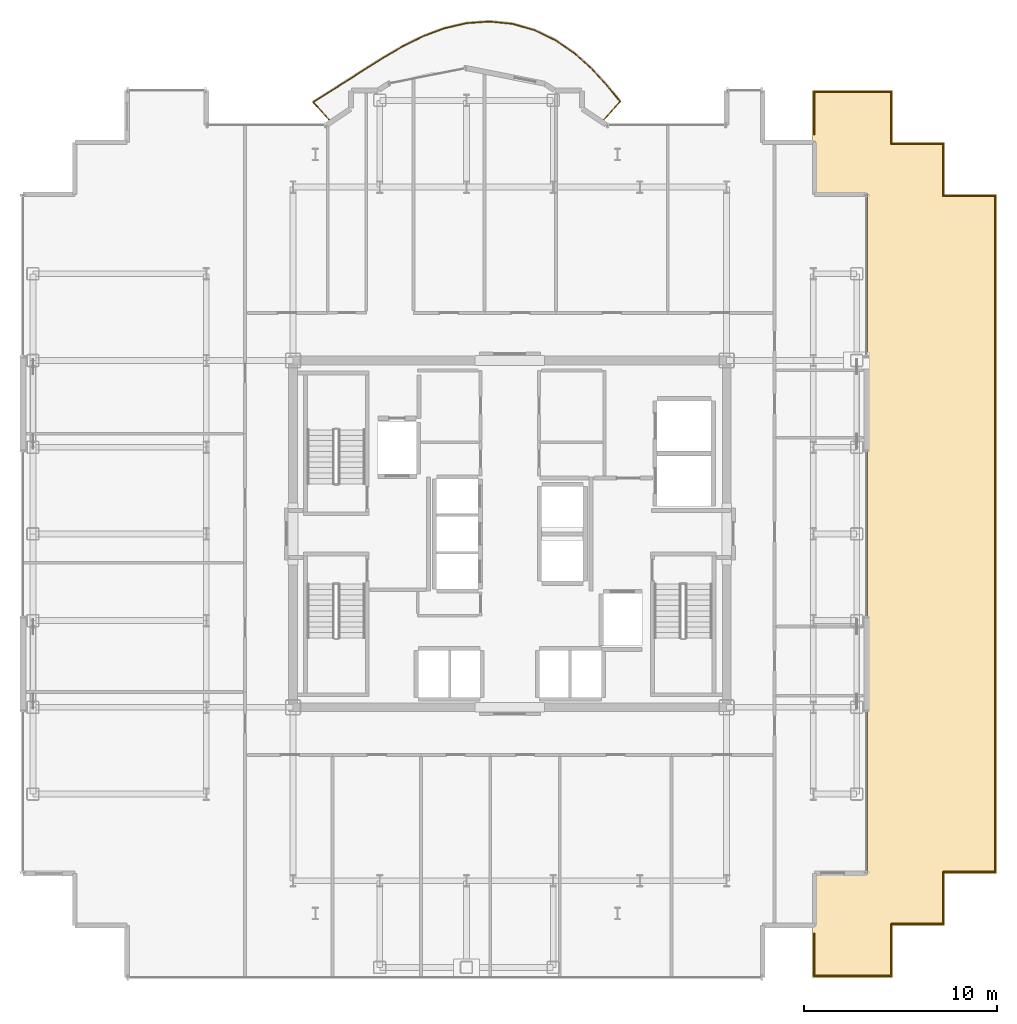
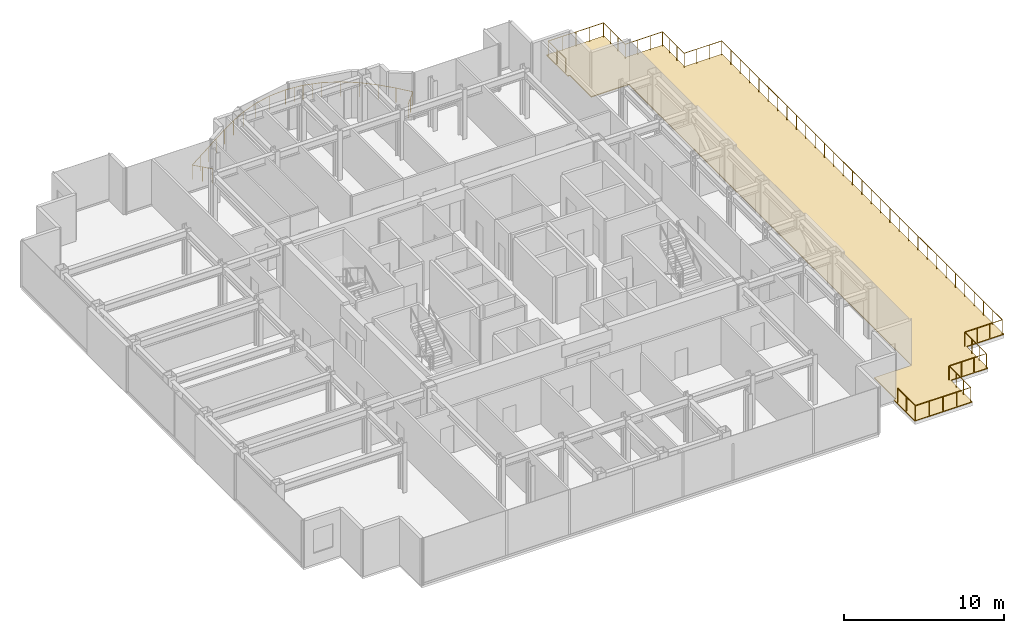
# One storey, part 17 of 17: 3 railings, 1 covering.
"""IFC4 building model written with IfcOpenShell, lengths in metres."""

from ifc_helpers import new_model, si_unit, direction, frame, origin, origin_2d, place, context, subcontext, project, spatial, polyline, circle, outline, extrude, material, layer, layer_set, type_object, element, save


model = new_model("IFC4")

# Units and contexts
model_context = context("Model", 3, precision=1e-05, world=origin(), true_north=direction((0.0, 1.0)))
body_context = subcontext(model_context, "Body", "Model", "MODEL_VIEW")
ifc_project = project(units=[si_unit("LENGTHUNIT", "METRE"), si_unit("AREAUNIT", "SQUARE_METRE"), si_unit("VOLUMEUNIT", "CUBIC_METRE"), si_unit("PLANEANGLEUNIT", "RADIAN"), si_unit("MASSUNIT", "GRAM", prefix="KILO")], contexts=[model_context])

# Site, building, storey
site_placement = place(None, origin())
site = spatial("IfcSite", under=ifc_project, at=site_placement, CompositionType="ELEMENT")
building_placement = place(site_placement, origin())
building = spatial("IfcBuilding", under=site, at=building_placement, Name="Nefas-Gora Pilgrimage Tower", CompositionType="ELEMENT")
storey_placement = place(building_placement, frame((0.0, 0.0, 264.60009765625)))
storey = spatial("IfcBuildingStorey", under=building, at=storey_placement, Name="L66", CompositionType="ELEMENT", Elevation=264.60009765625)

# Covering
ifc_material_1 = material(Name="Elastomeric waterproof insulated roof membrane")
ifc_layer = layer(ifc_material_1, 0.06005859375)
ifc_layer_set = layer_set([ifc_layer], Name="Elastomeric waterproof insulated roof membrane")
covering_type = type_object("IfcCoveringType", Name="COV-ROOF-MEMB", PredefinedType="ROOFING", material=ifc_layer_set)
covering_placement = place(storey_placement, origin())
element("IfcCovering", 1, at=covering_placement, inside=storey, type_object=covering_type, Name="L66 Setback Terrace Waterproofing Membrane 1", PredefinedType="ROOFING", context=body_context, shape_type="SweptSolid", body=[
    extrude(outline(polyline([(19.8701171875, 23.02001953125), (15.719970703125, 23.02001953125), (15.719970703125, 20.3701171875), (15.820068359375, 20.3701171875), (15.824951171875, 20.369873046875), (15.829833984375, 20.368896484375), (15.83447265625, 20.367919921875), (15.839111328125, 20.3662109375), (15.843505859375, 20.364013671875), (15.847900390625, 20.361572265625), (15.851806640625, 20.358642578125), (15.85546875, 20.35546875), (15.858642578125, 20.351806640625), (15.861572265625, 20.347900390625), (15.864013671875, 20.343505859375), (15.8662109375, 20.339111328125), (15.867919921875, 20.33447265625), (15.868896484375, 20.329833984375), (15.869873046875, 20.324951171875), (15.8701171875, 20.320068359375), (15.8701171875, 17.669921875), (18.52001953125, 17.669921875), (18.52490234375, 17.669921875), (18.52978515625, 17.6689453125), (18.534423828125, 17.667724609375), (18.5390625, 17.666259765625), (18.543701171875, 17.6640625), (18.5478515625, 17.66162109375), (18.5517578125, 17.65869140625), (18.555419921875, 17.655517578125), (18.55859375, 17.651611328125), (18.5615234375, 17.647705078125), (18.564208984375, 17.6435546875), (18.566162109375, 17.63916015625), (18.56787109375, 17.634521484375), (18.569091796875, 17.6298828125), (18.56982421875, 17.625), (18.570068359375, 17.6201171875), (18.570068359375, -17.6201171875), (18.56982421875, -17.625), (18.569091796875, -17.6298828125), (18.56787109375, -17.634521484375), (18.566162109375, -17.63916015625), (18.564208984375, -17.6435546875), (18.5615234375, -17.647705078125), (18.55859375, -17.651611328125), (18.555419921875, -17.655517578125), (18.5517578125, -17.65869140625), (18.5478515625, -17.66162109375), (18.543701171875, -17.6640625), (18.5390625, -17.666259765625), (18.534423828125, -17.667724609375), (18.52978515625, -17.6689453125), (18.52490234375, -17.669921875), (18.52001953125, -17.669921875), (15.8701171875, -17.669921875), (15.8701171875, -20.320068359375), (15.869873046875, -20.324951171875), (15.868896484375, -20.329833984375), (15.867919921875, -20.33447265625), (15.8662109375, -20.339111328125), (15.864013671875, -20.343505859375), (15.861572265625, -20.347900390625), (15.858642578125, -20.351806640625), (15.85546875, -20.35546875), (15.851806640625, -20.358642578125), (15.847900390625, -20.361572265625), (15.843505859375, -20.364013671875), (15.839111328125, -20.3662109375), (15.83447265625, -20.367919921875), (15.829833984375, -20.368896484375), (15.824951171875, -20.369873046875), (15.820068359375, -20.3701171875), (15.719970703125, -20.3701171875), (15.719970703125, -23.02001953125), (19.8701171875, -23.02001953125), (19.8701171875, -20.320068359375), (22.570068359375, -20.320068359375), (22.570068359375, -17.6201171875), (25.27001953125, -17.6201171875), (25.27001953125, 17.6201171875), (22.570068359375, 17.6201171875), (22.570068359375, 20.320068359375), (19.8701171875, 20.320068359375), (19.8701171875, 23.02001953125)])), origin(), (0.0, 0.0, 1.0), 0.059814453125),
])

# Railings
ifc_material_2 = material(Name="Laminated safety glass and stainless steel", Category="steel")
railing_type_1 = type_object("IfcRailingType", Name="RLG-BAL-1100", PredefinedType="BALUSTRADE", material=ifc_material_2)
railing_1_placement = place(storey_placement, frame((4.802490234375, 21.402587890625, 0.0)))
element("IfcRailing", 2, at=railing_1_placement, inside=storey, type_object=railing_type_1, Name="L66 Wave Balcony Balustrade N1", PredefinedType="BALUSTRADE", context=body_context, shape_type="SweptSolid", body=[
    extrude(circle(Radius=0.02392578125, at=origin_2d()), frame((0.0, 0.0, 1.09619140625), z_axis=(0.669217868333, 0.743066245165, 0.0), x_axis=(-0.743066245165, 0.669217868333, 0.0)), (0.0, 0.0, 1.0), 1.38525390625),
    extrude(circle(Radius=0.02392578125, at=origin_2d()), frame((0.927001953125, 1.029296875, 1.09619140625), z_axis=(-0.631629482569, 0.775270402343, 0.0), x_axis=(-0.775270402343, -0.631629482569, 0.0)), (0.0, 0.0, 1.0), 1.125244140625),
    extrude(circle(Radius=0.02392578125, at=origin_2d()), frame((0.21630859375, 1.901611328125, 1.09619140625), z_axis=(-0.677893838632, 0.735159808167, 0.0), x_axis=(-0.735159808167, -0.677893838632, 0.0)), (0.0, 0.0, 1.0), 1.1552734375),
    extrude(circle(Radius=0.02392578125, at=origin_2d()), frame((-0.56689453125, 2.7509765625, 1.09619140625), z_axis=(-0.744856770075, 0.667224394094, 0.0), x_axis=(-0.667224394094, -0.744856770075, 0.0)), (0.0, 0.0, 1.0), 1.17919921875),
    extrude(circle(Radius=0.02392578125, at=origin_2d()), frame((-1.4453125, 3.537841796875, 1.09619140625), z_axis=(-0.823486360046, 0.567336068673, 0.0), x_axis=(-0.567336068673, -0.823486360046, 0.0)), (0.0, 0.0, 1.0), 1.193359375),
    extrude(circle(Radius=0.02392578125, at=origin_2d()), frame((-2.427978515625, 4.21484375, 1.09619140625), z_axis=(-0.900372884274, 0.435119143757, 0.0), x_axis=(-0.435119143757, -0.900372884274, 0.0)), (0.0, 0.0, 1.0), 1.198974609375),
    extrude(circle(Radius=0.02392578125, at=origin_2d()), frame((-3.507568359375, 4.736572265625, 1.09619140625), z_axis=(-0.96128569357, 0.275553652377, 0.0), x_axis=(-0.275553652377, -0.96128569357, 0.0)), (0.0, 0.0, 1.0), 1.200439453125),
    extrude(circle(Radius=0.02392578125, at=origin_2d()), frame((-4.66162109375, 5.0673828125, 1.09619140625), z_axis=(-0.994878893823, 0.101074163988, 0.0), x_axis=(-0.101074163988, -0.994878893823, 0.0)), (0.0, 0.0, 1.0), 1.200439453125),
    extrude(circle(Radius=0.02392578125, at=origin_2d()), frame((-5.85595703125, 5.188720703125, 1.09619140625), z_axis=(-0.997416168119, -0.071840013741, 0.0), x_axis=(0.071840013741, -0.997416168119, 0.0)), (0.0, 0.0, 1.0), 1.19970703125),
    extrude(circle(Radius=0.02392578125, at=origin_2d()), frame((-7.052490234375, 5.1025390625, 1.09619140625), z_axis=(-0.973990202432, -0.226590126809, 0.0), x_axis=(0.226590126809, -0.973990202432, 0.0)), (0.0, 0.0, 1.0), 1.19482421875),
    extrude(circle(Radius=0.02392578125, at=origin_2d()), frame((-8.21630859375, 4.831787109375, 1.09619140625), z_axis=(-0.935793373768, -0.352548949243, 0.0), x_axis=(0.352548949243, -0.935793373768, 0.0)), (0.0, 0.0, 1.0), 1.18212890625),
    extrude(circle(Radius=0.02392578125, at=origin_2d()), frame((-9.322509765625, 4.4150390625, 1.09619140625), z_axis=(-0.895603061992, -0.444854083213, 0.0), x_axis=(0.444854083213, -0.895603061992, 0.0)), (0.0, 0.0, 1.0), 1.15966796875),
    extrude(circle(Radius=0.02392578125, at=origin_2d()), frame((-10.361083984375, 3.899169921875, 1.09619140625), z_axis=(-0.863943403334, -0.503588915522, 0.0), x_axis=(0.503588915522, -0.863943403334, 0.0)), (0.0, 0.0, 1.0), 1.130126953125),
    extrude(circle(Radius=0.02392578125, at=origin_2d()), frame((-11.33740234375, 3.330078125, 1.09619140625), z_axis=(-0.846310667587, -0.532689641282, 0.0), x_axis=(0.532689641282, -0.846310667587, 0.0)), (0.0, 0.0, 1.0), 1.099853515625),
    extrude(circle(Radius=0.02392578125, at=origin_2d()), frame((-12.268310546875, 2.744140625, 1.09619140625), z_axis=(-0.841971362418, -0.539522219067, 0.0), x_axis=(0.539522219067, -0.841971362418, 0.0)), (0.0, 0.0, 1.0), 1.079345703125),
    extrude(circle(Radius=0.02392578125, at=origin_2d()), frame((-13.177001953125, 2.161865234375, 1.09619140625), z_axis=(-0.844473528243, -0.535597292839, 0.0), x_axis=(0.535597292839, -0.844473528243, 0.0)), (0.0, 0.0, 1.0), 1.07568359375),
    extrude(circle(Radius=0.02392578125, at=origin_2d()), frame((-14.08544921875, 1.585693359375, 1.09619140625), z_axis=(-0.843707572313, -0.536803066704, 0.0), x_axis=(0.536803066704, -0.843707572313, 0.0)), (0.0, 0.0, 1.0), 1.090576171875),
    extrude(circle(Radius=0.02392578125, at=origin_2d()), frame((-15.005615234375, 1.000244140625, 1.09619140625), z_axis=(0.669135077133, -0.74314079995, 0.0), x_axis=(0.74314079995, 0.669135077133, 0.0)), (0.0, 0.0, 1.0), 1.345947265625),
    extrude(circle(Radius=0.02099609375, at=origin_2d()), origin(), (0.0, 0.0, 1.0), 1.072021484375),
    extrude(circle(Radius=0.02099609375, at=origin_2d()), frame((0.46337890625, 0.5146484375, 0.0)), (0.0, 0.0, 1.0), 1.072021484375),
    extrude(circle(Radius=0.02099609375, at=origin_2d()), frame((0.927001953125, 1.029296875, 0.0)), (0.0, 0.0, 1.0), 1.072021484375),
    extrude(circle(Radius=0.02099609375, at=origin_2d()), frame((0.21630859375, 1.901611328125, 0.0)), (0.0, 0.0, 1.0), 1.072021484375),
    extrude(circle(Radius=0.02099609375, at=origin_2d()), frame((-0.56689453125, 2.7509765625, 0.0)), (0.0, 0.0, 1.0), 1.072021484375),
    extrude(circle(Radius=0.02099609375, at=origin_2d()), frame((-1.4453125, 3.537841796875, 0.0)), (0.0, 0.0, 1.0), 1.072021484375),
    extrude(circle(Radius=0.02099609375, at=origin_2d()), frame((-2.427978515625, 4.21484375, 0.0)), (0.0, 0.0, 1.0), 1.072021484375),
    extrude(circle(Radius=0.02099609375, at=origin_2d()), frame((-3.507568359375, 4.736572265625, 0.0)), (0.0, 0.0, 1.0), 1.072021484375),
    extrude(circle(Radius=0.02099609375, at=origin_2d()), frame((-4.08447265625, 4.90185546875, 0.0)), (0.0, 0.0, 1.0), 1.072021484375),
    extrude(circle(Radius=0.02099609375, at=origin_2d()), frame((-4.66162109375, 5.0673828125, 0.0)), (0.0, 0.0, 1.0), 1.072021484375),
    extrude(circle(Radius=0.02099609375, at=origin_2d()), frame((-5.2587890625, 5.1279296875, 0.0)), (0.0, 0.0, 1.0), 1.072021484375),
    extrude(circle(Radius=0.02099609375, at=origin_2d()), frame((-5.85595703125, 5.188720703125, 0.0)), (0.0, 0.0, 1.0), 1.072021484375),
    extrude(circle(Radius=0.02099609375, at=origin_2d()), frame((-7.052490234375, 5.1025390625, 0.0)), (0.0, 0.0, 1.0), 1.072021484375),
    extrude(circle(Radius=0.02099609375, at=origin_2d()), frame((-8.21630859375, 4.831787109375, 0.0)), (0.0, 0.0, 1.0), 1.072021484375),
    extrude(circle(Radius=0.02099609375, at=origin_2d()), frame((-9.322509765625, 4.4150390625, 0.0)), (0.0, 0.0, 1.0), 1.072021484375),
    extrude(circle(Radius=0.02099609375, at=origin_2d()), frame((-10.361083984375, 3.899169921875, 0.0)), (0.0, 0.0, 1.0), 1.072021484375),
    extrude(circle(Radius=0.02099609375, at=origin_2d()), frame((-11.33740234375, 3.330078125, 0.0)), (0.0, 0.0, 1.0), 1.072021484375),
    extrude(circle(Radius=0.02099609375, at=origin_2d()), frame((-12.268310546875, 2.744140625, 0.0)), (0.0, 0.0, 1.0), 1.072021484375),
    extrude(circle(Radius=0.02099609375, at=origin_2d()), frame((-13.177001953125, 2.161865234375, 0.0)), (0.0, 0.0, 1.0), 1.072021484375),
    extrude(circle(Radius=0.02099609375, at=origin_2d()), frame((-14.08544921875, 1.585693359375, 0.0)), (0.0, 0.0, 1.0), 1.072021484375),
    extrude(circle(Radius=0.02099609375, at=origin_2d()), frame((-15.005615234375, 1.000244140625, 0.0)), (0.0, 0.0, 1.0), 1.072021484375),
    extrude(circle(Radius=0.02099609375, at=origin_2d()), frame((-14.55517578125, 0.5, 0.0)), (0.0, 0.0, 1.0), 1.072021484375),
    extrude(circle(Radius=0.02099609375, at=origin_2d()), frame((-14.10498046875, 0.0, 0.0)), (0.0, 0.0, 1.0), 1.072021484375),
])
railing_type_2 = type_object("IfcRailingType", Name="RLG-TER-1150", PredefinedType="BALUSTRADE", material=ifc_material_2)
railing_2_placement = place(storey_placement, frame((19.7900390625, 22.93994140625, 0.0)))
element("IfcRailing", 3, at=railing_2_placement, inside=storey, type_object=railing_type_2, Name="L66 Terrace Continuous Balustrade TER-L66-1.1", PredefinedType="BALUSTRADE", context=body_context, shape_type="SweptSolid", body=[
    extrude(circle(Radius=0.02392578125, at=origin_2d()), frame((0.0, 0.0, 1.1259765625), z_axis=(0.0, -1.0, 0.0), x_axis=(1.0, 0.0, 0.0)), (0.0, 0.0, 1.0), 2.699951171875),
    extrude(circle(Radius=0.02392578125, at=origin_2d()), frame((0.0, -2.699951171875, 1.1259765625), z_axis=(1.0, 0.0, 0.0), x_axis=(0.0, 1.0, 0.0)), (0.0, 0.0, 1.0), 2.699951171875),
    extrude(circle(Radius=0.02392578125, at=origin_2d()), frame((2.699951171875, -2.699951171875, 1.1259765625), z_axis=(0.0, -1.0, 0.0), x_axis=(1.0, 0.0, 0.0)), (0.0, 0.0, 1.0), 2.699951171875),
    extrude(circle(Radius=0.02392578125, at=origin_2d()), frame((2.699951171875, -5.39990234375, 1.1259765625), z_axis=(1.0, 0.0, 0.0), x_axis=(0.0, 1.0, 0.0)), (0.0, 0.0, 1.0), 2.699951171875),
    extrude(circle(Radius=0.02392578125, at=origin_2d()), frame((5.39990234375, -5.39990234375, 1.1259765625), z_axis=(0.0, -1.0, 0.0), x_axis=(1.0, 0.0, 0.0)), (0.0, 0.0, 1.0), 35.080078125),
    extrude(circle(Radius=0.02392578125, at=origin_2d()), frame((5.39990234375, -40.47998046875, 1.1259765625), z_axis=(-1.0, 0.0, 0.0), x_axis=(0.0, -1.0, 0.0)), (0.0, 0.0, 1.0), 2.699951171875),
    extrude(circle(Radius=0.02392578125, at=origin_2d()), frame((2.699951171875, -40.47998046875, 1.1259765625), z_axis=(0.0, -1.0, 0.0), x_axis=(1.0, 0.0, 0.0)), (0.0, 0.0, 1.0), 2.699951171875),
    extrude(circle(Radius=0.02392578125, at=origin_2d()), frame((2.699951171875, -43.179931640625, 1.1259765625), z_axis=(-1.0, 0.0, 0.0), x_axis=(0.0, -1.0, 0.0)), (0.0, 0.0, 1.0), 2.699951171875),
    extrude(circle(Radius=0.02392578125, at=origin_2d()), frame((0.0, -43.179931640625, 1.1259765625), z_axis=(0.0, -1.0, 0.0), x_axis=(1.0, 0.0, 0.0)), (0.0, 0.0, 1.0), 2.699951171875),
    extrude(circle(Radius=0.02392578125, at=origin_2d()), frame((0.0, -45.8798828125, 1.1259765625), z_axis=(-1.0, 0.0, 0.0), x_axis=(0.0, -1.0, 0.0)), (0.0, 0.0, 1.0), 3.989990234375),
    extrude(circle(Radius=0.02392578125, at=origin_2d()), frame((-3.989990234375, -45.8798828125, 1.1259765625), z_axis=(0.0, 1.0, 0.0), x_axis=(-1.0, 0.0, 0.0)), (0.0, 0.0, 1.0), 2.199951171875),
    extrude(circle(Radius=0.02099609375, at=origin_2d()), origin(), (0.0, 0.0, 1.0), 1.101806640625),
    extrude(circle(Radius=0.02099609375, at=origin_2d()), frame((0.0, -0.89990234375, 0.0)), (0.0, 0.0, 1.0), 1.101806640625),
    extrude(circle(Radius=0.02099609375, at=origin_2d()), frame((0.0, -1.800048828125, 0.0)), (0.0, 0.0, 1.0), 1.101806640625),
    extrude(circle(Radius=0.02099609375, at=origin_2d()), frame((0.0, -2.699951171875, 0.0)), (0.0, 0.0, 1.0), 1.101806640625),
    extrude(circle(Radius=0.02099609375, at=origin_2d()), frame((0.89990234375, -2.699951171875, 0.0)), (0.0, 0.0, 1.0), 1.101806640625),
    extrude(circle(Radius=0.02099609375, at=origin_2d()), frame((1.800048828125, -2.699951171875, 0.0)), (0.0, 0.0, 1.0), 1.101806640625),
    extrude(circle(Radius=0.02099609375, at=origin_2d()), frame((2.699951171875, -2.699951171875, 0.0)), (0.0, 0.0, 1.0), 1.101806640625),
    extrude(circle(Radius=0.02099609375, at=origin_2d()), frame((2.699951171875, -3.599853515625, 0.0)), (0.0, 0.0, 1.0), 1.101806640625),
    extrude(circle(Radius=0.02099609375, at=origin_2d()), frame((2.699951171875, -4.5, 0.0)), (0.0, 0.0, 1.0), 1.101806640625),
    extrude(circle(Radius=0.02099609375, at=origin_2d()), frame((2.699951171875, -5.39990234375, 0.0)), (0.0, 0.0, 1.0), 1.101806640625),
    extrude(circle(Radius=0.02099609375, at=origin_2d()), frame((3.599853515625, -5.39990234375, 0.0)), (0.0, 0.0, 1.0), 1.101806640625),
    extrude(circle(Radius=0.02099609375, at=origin_2d()), frame((4.5, -5.39990234375, 0.0)), (0.0, 0.0, 1.0), 1.101806640625),
    extrude(circle(Radius=0.02099609375, at=origin_2d()), frame((5.39990234375, -5.39990234375, 0.0)), (0.0, 0.0, 1.0), 1.101806640625),
    extrude(circle(Radius=0.02099609375, at=origin_2d()), frame((5.39990234375, -6.5693359375, 0.0)), (0.0, 0.0, 1.0), 1.101806640625),
    extrude(circle(Radius=0.02099609375, at=origin_2d()), frame((5.39990234375, -7.738525390625, 0.0)), (0.0, 0.0, 1.0), 1.101806640625),
    extrude(circle(Radius=0.02099609375, at=origin_2d()), frame((5.39990234375, -8.907958984375, 0.0)), (0.0, 0.0, 1.0), 1.101806640625),
    extrude(circle(Radius=0.02099609375, at=origin_2d()), frame((5.39990234375, -10.0771484375, 0.0)), (0.0, 0.0, 1.0), 1.101806640625),
    extrude(circle(Radius=0.02099609375, at=origin_2d()), frame((5.39990234375, -11.24658203125, 0.0)), (0.0, 0.0, 1.0), 1.101806640625),
    extrude(circle(Radius=0.02099609375, at=origin_2d()), frame((5.39990234375, -12.416015625, 0.0)), (0.0, 0.0, 1.0), 1.101806640625),
    extrude(circle(Radius=0.02099609375, at=origin_2d()), frame((5.39990234375, -13.585205078125, 0.0)), (0.0, 0.0, 1.0), 1.101806640625),
    extrude(circle(Radius=0.02099609375, at=origin_2d()), frame((5.39990234375, -14.754638671875, 0.0)), (0.0, 0.0, 1.0), 1.101806640625),
    extrude(circle(Radius=0.02099609375, at=origin_2d()), frame((5.39990234375, -15.923828125, 0.0)), (0.0, 0.0, 1.0), 1.101806640625),
    extrude(circle(Radius=0.02099609375, at=origin_2d()), frame((5.39990234375, -17.09326171875, 0.0)), (0.0, 0.0, 1.0), 1.101806640625),
    extrude(circle(Radius=0.02099609375, at=origin_2d()), frame((5.39990234375, -18.2626953125, 0.0)), (0.0, 0.0, 1.0), 1.101806640625),
    extrude(circle(Radius=0.02099609375, at=origin_2d()), frame((5.39990234375, -19.431884765625, 0.0)), (0.0, 0.0, 1.0), 1.101806640625),
    extrude(circle(Radius=0.02099609375, at=origin_2d()), frame((5.39990234375, -20.601318359375, 0.0)), (0.0, 0.0, 1.0), 1.101806640625),
    extrude(circle(Radius=0.02099609375, at=origin_2d()), frame((5.39990234375, -21.7705078125, 0.0)), (0.0, 0.0, 1.0), 1.101806640625),
    extrude(circle(Radius=0.02099609375, at=origin_2d()), frame((5.39990234375, -22.93994140625, 0.0)), (0.0, 0.0, 1.0), 1.101806640625),
    extrude(circle(Radius=0.02099609375, at=origin_2d()), frame((5.39990234375, -24.109375, 0.0)), (0.0, 0.0, 1.0), 1.101806640625),
    extrude(circle(Radius=0.02099609375, at=origin_2d()), frame((5.39990234375, -25.278564453125, 0.0)), (0.0, 0.0, 1.0), 1.101806640625),
    extrude(circle(Radius=0.02099609375, at=origin_2d()), frame((5.39990234375, -26.447998046875, 0.0)), (0.0, 0.0, 1.0), 1.101806640625),
    extrude(circle(Radius=0.02099609375, at=origin_2d()), frame((5.39990234375, -27.6171875, 0.0)), (0.0, 0.0, 1.0), 1.101806640625),
    extrude(circle(Radius=0.02099609375, at=origin_2d()), frame((5.39990234375, -28.78662109375, 0.0)), (0.0, 0.0, 1.0), 1.101806640625),
    extrude(circle(Radius=0.02099609375, at=origin_2d()), frame((5.39990234375, -29.9560546875, 0.0)), (0.0, 0.0, 1.0), 1.101806640625),
    extrude(circle(Radius=0.02099609375, at=origin_2d()), frame((5.39990234375, -31.125244140625, 0.0)), (0.0, 0.0, 1.0), 1.101806640625),
    extrude(circle(Radius=0.02099609375, at=origin_2d()), frame((5.39990234375, -32.294677734375, 0.0)), (0.0, 0.0, 1.0), 1.101806640625),
    extrude(circle(Radius=0.02099609375, at=origin_2d()), frame((5.39990234375, -33.4638671875, 0.0)), (0.0, 0.0, 1.0), 1.101806640625),
    extrude(circle(Radius=0.02099609375, at=origin_2d()), frame((5.39990234375, -34.63330078125, 0.0)), (0.0, 0.0, 1.0), 1.101806640625),
    extrude(circle(Radius=0.02099609375, at=origin_2d()), frame((5.39990234375, -35.802734375, 0.0)), (0.0, 0.0, 1.0), 1.101806640625),
    extrude(circle(Radius=0.02099609375, at=origin_2d()), frame((5.39990234375, -36.971923828125, 0.0)), (0.0, 0.0, 1.0), 1.101806640625),
    extrude(circle(Radius=0.02099609375, at=origin_2d()), frame((5.39990234375, -38.141357421875, 0.0)), (0.0, 0.0, 1.0), 1.101806640625),
    extrude(circle(Radius=0.02099609375, at=origin_2d()), frame((5.39990234375, -39.310546875, 0.0)), (0.0, 0.0, 1.0), 1.101806640625),
    extrude(circle(Radius=0.02099609375, at=origin_2d()), frame((5.39990234375, -40.47998046875, 0.0)), (0.0, 0.0, 1.0), 1.101806640625),
    extrude(circle(Radius=0.02099609375, at=origin_2d()), frame((4.5, -40.47998046875, 0.0)), (0.0, 0.0, 1.0), 1.101806640625),
    extrude(circle(Radius=0.02099609375, at=origin_2d()), frame((3.599853515625, -40.47998046875, 0.0)), (0.0, 0.0, 1.0), 1.101806640625),
    extrude(circle(Radius=0.02099609375, at=origin_2d()), frame((2.699951171875, -40.47998046875, 0.0)), (0.0, 0.0, 1.0), 1.101806640625),
    extrude(circle(Radius=0.02099609375, at=origin_2d()), frame((2.699951171875, -41.3798828125, 0.0)), (0.0, 0.0, 1.0), 1.101806640625),
    extrude(circle(Radius=0.02099609375, at=origin_2d()), frame((2.699951171875, -42.280029296875, 0.0)), (0.0, 0.0, 1.0), 1.101806640625),
    extrude(circle(Radius=0.02099609375, at=origin_2d()), frame((2.699951171875, -43.179931640625, 0.0)), (0.0, 0.0, 1.0), 1.101806640625),
    extrude(circle(Radius=0.02099609375, at=origin_2d()), frame((1.800048828125, -43.179931640625, 0.0)), (0.0, 0.0, 1.0), 1.101806640625),
    extrude(circle(Radius=0.02099609375, at=origin_2d()), frame((0.89990234375, -43.179931640625, 0.0)), (0.0, 0.0, 1.0), 1.101806640625),
    extrude(circle(Radius=0.02099609375, at=origin_2d()), frame((0.0, -43.179931640625, 0.0)), (0.0, 0.0, 1.0), 1.101806640625),
    extrude(circle(Radius=0.02099609375, at=origin_2d()), frame((0.0, -44.079833984375, 0.0)), (0.0, 0.0, 1.0), 1.101806640625),
    extrude(circle(Radius=0.02099609375, at=origin_2d()), frame((0.0, -44.97998046875, 0.0)), (0.0, 0.0, 1.0), 1.101806640625),
    extrude(circle(Radius=0.02099609375, at=origin_2d()), frame((0.0, -45.8798828125, 0.0)), (0.0, 0.0, 1.0), 1.101806640625),
    extrude(circle(Radius=0.02099609375, at=origin_2d()), frame((-0.99755859375, -45.8798828125, 0.0)), (0.0, 0.0, 1.0), 1.101806640625),
    extrude(circle(Radius=0.02099609375, at=origin_2d()), frame((-1.9951171875, -45.8798828125, 0.0)), (0.0, 0.0, 1.0), 1.101806640625),
    extrude(circle(Radius=0.02099609375, at=origin_2d()), frame((-2.992431640625, -45.8798828125, 0.0)), (0.0, 0.0, 1.0), 1.101806640625),
    extrude(circle(Radius=0.02099609375, at=origin_2d()), frame((-3.989990234375, -45.8798828125, 0.0)), (0.0, 0.0, 1.0), 1.101806640625),
    extrude(circle(Radius=0.02099609375, at=origin_2d()), frame((-3.989990234375, -44.77978515625, 0.0)), (0.0, 0.0, 1.0), 1.101806640625),
    extrude(circle(Radius=0.02099609375, at=origin_2d()), frame((-3.989990234375, -43.679931640625, 0.0)), (0.0, 0.0, 1.0), 1.101806640625),
])
railing_3_placement = place(storey_placement, frame((15.800048828125, 20.739990234375, 0.0)))
element("IfcRailing", 4, at=railing_3_placement, inside=storey, type_object=railing_type_2, Name="L66 Terrace Continuous Balustrade TER-L66-1.2", PredefinedType="BALUSTRADE", context=body_context, shape_type="SweptSolid", body=[
    extrude(circle(Radius=0.02392578125, at=origin_2d()), frame((0.0, 0.0, 1.1259765625), z_axis=(0.0, 1.0, 0.0), x_axis=(-1.0, 0.0, 0.0)), (0.0, 0.0, 1.0), 2.199951171875),
    extrude(circle(Radius=0.02392578125, at=origin_2d()), frame((0.0, 2.199951171875, 1.1259765625), z_axis=(1.0, 0.0, 0.0), x_axis=(0.0, 1.0, 0.0)), (0.0, 0.0, 1.0), 3.989990234375),
    extrude(circle(Radius=0.02099609375, at=origin_2d()), origin(), (0.0, 0.0, 1.0), 1.101806640625),
    extrude(circle(Radius=0.02099609375, at=origin_2d()), frame((0.0, 1.10009765625, 0.0)), (0.0, 0.0, 1.0), 1.101806640625),
    extrude(circle(Radius=0.02099609375, at=origin_2d()), frame((0.0, 2.199951171875, 0.0)), (0.0, 0.0, 1.0), 1.101806640625),
    extrude(circle(Radius=0.02099609375, at=origin_2d()), frame((0.99755859375, 2.199951171875, 0.0)), (0.0, 0.0, 1.0), 1.101806640625),
    extrude(circle(Radius=0.02099609375, at=origin_2d()), frame((1.9951171875, 2.199951171875, 0.0)), (0.0, 0.0, 1.0), 1.101806640625),
    extrude(circle(Radius=0.02099609375, at=origin_2d()), frame((2.992431640625, 2.199951171875, 0.0)), (0.0, 0.0, 1.0), 1.101806640625),
    extrude(circle(Radius=0.02099609375, at=origin_2d()), frame((3.989990234375, 2.199951171875, 0.0)), (0.0, 0.0, 1.0), 1.101806640625),
])

save(model, "model.ifc")
